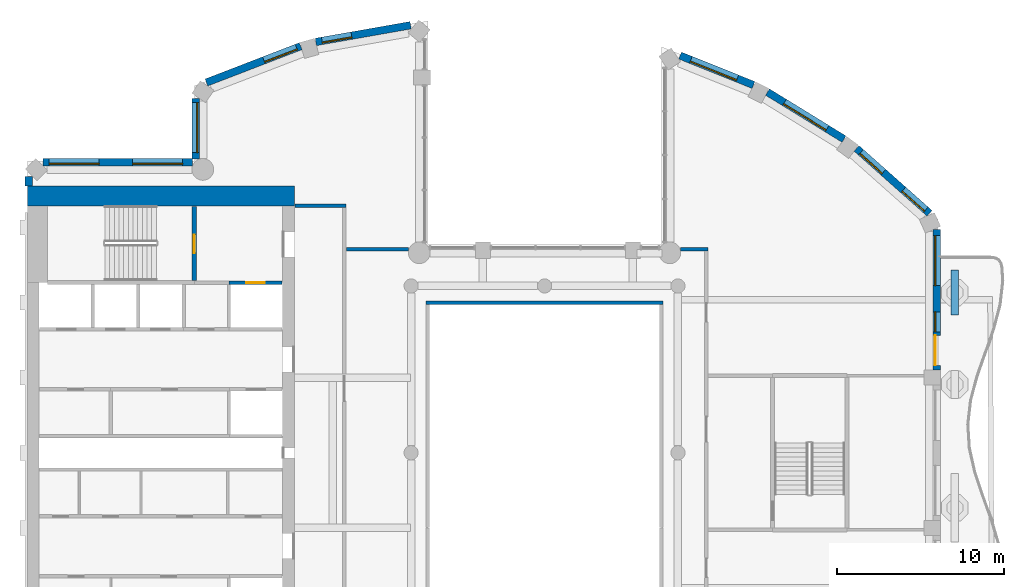
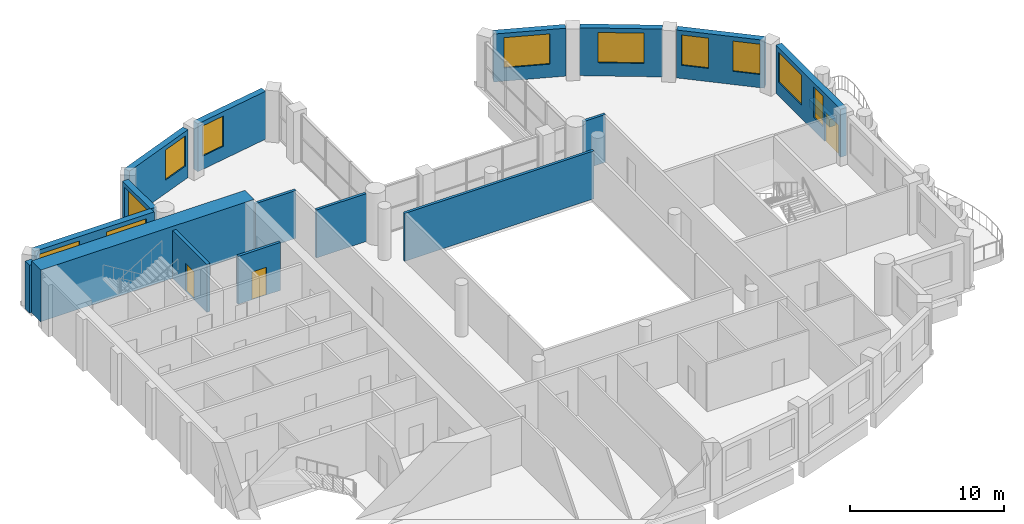
# One storey, part 7 of 14: 17 walls, 11 windows, 3 doors, 14 openings.
"""IFC4 building model written with IfcOpenShell, lengths in metres."""

from ifc_helpers import new_model, si_unit, direction, frame, frame_2d, origin, place, context, subcontext, project, spatial, rectangle, extrude, material, layer, layer_set, type_object, element, fill, save


model = new_model("IFC4")

# Units and contexts
model_context = context("Model", 3, precision=1e-05, world=origin(), true_north=direction((0.0, 1.0)))
body_context = subcontext(model_context, "Body", "Model", "MODEL_VIEW")
ifc_project = project(units=[si_unit("LENGTHUNIT", "METRE"), si_unit("AREAUNIT", "SQUARE_METRE"), si_unit("VOLUMEUNIT", "CUBIC_METRE"), si_unit("PLANEANGLEUNIT", "RADIAN"), si_unit("MASSUNIT", "GRAM", prefix="KILO")], contexts=[model_context])

# Site, building, storey
site_placement = place(None, origin())
site = spatial("IfcSite", under=ifc_project, at=site_placement, CompositionType="ELEMENT")
building_placement = place(site_placement, origin())
building = spatial("IfcBuilding", under=site, at=building_placement, Name="Cypress Arch Tower", CompositionType="ELEMENT")
storey_placement = place(building_placement, frame((0.0, 0.0, 268.0)))
storey = spatial("IfcBuildingStorey", under=building, at=storey_placement, Name="L60", CompositionType="ELEMENT", Elevation=268.0)

# Wall
ifc_material_1 = material(Name="Concrete C40/50, waterproofed", Category="concrete")
ifc_layer_1 = layer(ifc_material_1, 0.449951171875)
ifc_layer_set_1 = layer_set([ifc_layer_1], Name="Balcony planter wall PW450")
wall_type_1 = type_object("IfcWallType", Name="Balcony planter wall PW450", PredefinedType="SOLIDWALL", material=ifc_layer_set_1)
wall_1_placement = place(storey_placement, frame((25.60009765625, 8.25, 0.0), z_axis=(0.0, 0.0, 1.0), x_axis=(0.0, 1.0, 0.0)))
element("IfcWall", 1, at=wall_1_placement, inside=storey, type_object=wall_type_1, Name="Balcony planter wall L60-C17.4", PredefinedType="SOLIDWALL", context=body_context, shape_type="SweptSolid", body=[
    extrude(rectangle(XDim=2.699951171875, YDim=0.449951171875, at=frame_2d((1.35009765625, 0.0))), origin(), (0.0, 0.0, 1.0), 0.60009765625),
])

# Wall, opening, window
ifc_material_2 = material(Name="Brick (red buff blend)", Category="masonry")
ifc_layer_2 = layer(ifc_material_2, 0.449951171875)
ifc_layer_set_2 = layer_set([ifc_layer_2], Name="Brick pier and spandrel wall BW450")
wall_type_2 = type_object("IfcWallType", Name="Brick pier and spandrel wall BW450", PredefinedType="SOLIDWALL", material=ifc_layer_set_2)
wall_2_placement = place(storey_placement, frame((-7.028564453125, 25.63232421875, 0.0), z_axis=(0.0, 0.0, 1.0), x_axis=(-0.984797606634, -0.173705710808, 0.0)))
wall_2 = element("IfcWall", 2, at=wall_2_placement, inside=storey, type_object=wall_type_2, Name="Brick wall L60 C03.0", PredefinedType="SOLIDWALL", context=body_context, shape_type="SweptSolid", body=[
    extrude(rectangle(XDim=5.772216796875, YDim=0.449951171875, at=frame_2d((2.88623046875, 0.0))), origin(), (0.0, 0.0, 1.0), 3.800048828125),
])
opening_1_placement = place(wall_2_placement, frame((3.59326171875, 0.0, 1.050048828125)))
opening_1 = element("IfcOpeningElement", 3, at=opening_1_placement, cuts=wall_2, Name="Opening W180O", PredefinedType="OPENING", context=body_context, shape_type="SweptSolid", body=[
    extrude(rectangle(XDim=1.800048828125, YDim=2.39990234375, at=frame_2d((0.89990234375, 1.199951171875))), frame((0.0, 0.23486328125, 0.0), z_axis=(0.0, -1.0, 0.0), x_axis=(1.0, 0.0, 0.0)), (0.0, 0.0, 1.0), 0.469970703125),
])
ifc_material_3 = material(Name="Anodised aluminium, bronze finish, clear low-emissivity double glazing", Category="aluminium")
window_type_1 = type_object("IfcWindowType", Name="Window Office 1800x2400", PartitioningType="SINGLE_PANEL", PredefinedType="WINDOW", material=ifc_material_3)
window_1_placement = place(opening_1_placement, origin())
window_1 = element("IfcWindow", 4, at=window_1_placement, inside=storey, type_object=window_type_1, Name="Window L60 C03.0.2", OverallHeight=2.39990234375, OverallWidth=1.800048828125, PartitioningType="SINGLE_PANEL", PredefinedType="WINDOW", context=body_context, shape_type="SweptSolid", body=[
    extrude(rectangle(XDim=1.800048828125, YDim=2.39990234375, at=frame_2d((0.89990234375, 1.199951171875))), frame((0.0, 0.135009765625, 0.0), z_axis=(0.0, -1.0, 0.0), x_axis=(1.0, 0.0, 0.0)), (0.0, 0.0, 1.0), 0.06005859375),
])
fill(opening_1, window_1)

wall_3_placement = place(storey_placement, frame((-13.6220703125, 24.376953125, 0.0), z_axis=(0.0, 0.0, 1.0), x_axis=(-0.933129259679, -0.359541075164, 0.0)))
wall_3 = element("IfcWall", 5, at=wall_3_placement, inside=storey, type_object=wall_type_2, Name="Brick wall L60 C04.0", PredefinedType="SOLIDWALL", context=body_context, shape_type="SweptSolid", body=[
    extrude(rectangle(XDim=6.05419921875, YDim=0.449951171875, at=frame_2d((3.027099609375, 0.0))), origin(), (0.0, 0.0, 1.0), 3.800048828125),
])
opening_2_placement = place(wall_3_placement, frame((0.260986328125, 0.0, 1.050048828125)))
opening_2 = element("IfcOpeningElement", 6, at=opening_2_placement, cuts=wall_3, Name="Opening W210O", PredefinedType="OPENING", context=body_context, shape_type="SweptSolid", body=[
    extrude(rectangle(XDim=2.10009765625, YDim=2.39990234375, at=frame_2d((1.050048828125, 1.199951171875))), frame((0.0, 0.23486328125, 0.0), z_axis=(0.0, -1.0, 0.0), x_axis=(1.0, 0.0, 0.0)), (0.0, 0.0, 1.0), 0.469970703125),
])
ifc_material_4 = material(Name="Anodised aluminium, bronze finish, clear low-emissivity double glazing", Category="aluminium")
window_type_2 = type_object("IfcWindowType", Name="Window Office 2100x2400", PartitioningType="SINGLE_PANEL", PredefinedType="WINDOW", material=ifc_material_4)
window_2_placement = place(opening_2_placement, origin())
window_2 = element("IfcWindow", 7, at=window_2_placement, inside=storey, type_object=window_type_2, Name="Window L60 C04.0.1", OverallHeight=2.39990234375, OverallWidth=2.10009765625, PartitioningType="SINGLE_PANEL", PredefinedType="WINDOW", context=body_context, shape_type="SweptSolid", body=[
    extrude(rectangle(XDim=2.10009765625, YDim=2.39990234375, at=frame_2d((1.050048828125, 1.199951171875))), frame((0.0, 0.135009765625, 0.0), z_axis=(0.0, -1.0, 0.0), x_axis=(1.0, 0.0, 0.0)), (0.0, 0.0, 1.0), 0.06005859375),
])
fill(opening_2, window_2)

wall_4_placement = place(storey_placement, frame((-19.925048828125, 21.248291015625, 0.0), z_axis=(0.0, 0.0, 1.0), x_axis=(0.0, -1.0, 0.0)))
wall_4 = element("IfcWall", 8, at=wall_4_placement, inside=storey, type_object=wall_type_2, Name="Brick wall L60 C05.0", PredefinedType="SOLIDWALL", context=body_context, shape_type="SweptSolid", body=[
    extrude(rectangle(XDim=3.646728515625, YDim=0.449951171875, at=frame_2d((1.8232421875, 0.0))), origin(), (0.0, 0.0, 1.0), 3.800048828125),
])
opening_3_placement = place(wall_4_placement, frame((0.251220703125, 0.0, 1.050048828125)))
opening_3 = element("IfcOpeningElement", 9, at=opening_3_placement, cuts=wall_4, Name="Opening W300O", PredefinedType="OPENING", context=body_context, shape_type="SweptSolid", body=[
    extrude(rectangle(XDim=3.0, YDim=2.39990234375, at=frame_2d((1.5, 1.199951171875))), frame((0.0, 0.23486328125, 0.0), z_axis=(0.0, -1.0, 0.0), x_axis=(1.0, 0.0, 0.0)), (0.0, 0.0, 1.0), 0.469970703125),
])
ifc_material_5 = material(Name="Anodised aluminium, bronze finish, clear low-emissivity double glazing", Category="aluminium")
window_type_3 = type_object("IfcWindowType", Name="Window Office 3000x2400", PartitioningType="SINGLE_PANEL", PredefinedType="WINDOW", material=ifc_material_5)
window_3_placement = place(opening_3_placement, origin())
window_3 = element("IfcWindow", 10, at=window_3_placement, inside=storey, type_object=window_type_3, Name="Window L60 C05.0.1", OverallHeight=2.39990234375, OverallWidth=3.0, PartitioningType="SINGLE_PANEL", PredefinedType="WINDOW", context=body_context, shape_type="SweptSolid", body=[
    extrude(rectangle(XDim=3.0, YDim=2.39990234375, at=frame_2d((1.5, 1.199951171875))), frame((0.0, 0.135009765625, 0.0), z_axis=(0.0, -1.0, 0.0), x_axis=(1.0, 0.0, 0.0)), (0.0, 0.0, 1.0), 0.06005859375),
])
fill(opening_3, window_3)

# Wall, openings, windows
wall_5_placement = place(storey_placement, frame((-20.1015625, 17.425048828125, 0.0), z_axis=(0.0, 0.0, 1.0), x_axis=(-1.0, 0.0, 0.0)))
wall_5 = element("IfcWall", 11, at=wall_5_placement, inside=storey, type_object=wall_type_2, Name="Brick wall L60 C06.0", PredefinedType="SOLIDWALL", context=body_context, shape_type="SweptSolid", body=[
    extrude(rectangle(XDim=8.962158203125, YDim=0.449951171875, at=frame_2d((4.48095703125, 0.0))), origin(), (0.0, 0.0, 1.0), 3.800048828125),
])
opening_4_placement = place(wall_5_placement, frame((0.598388671875, 0.0, 1.050048828125)))
opening_4 = element("IfcOpeningElement", 12, at=opening_4_placement, cuts=wall_5, Name="Opening W300O", PredefinedType="OPENING", context=body_context, shape_type="SweptSolid", body=[
    extrude(rectangle(XDim=3.0, YDim=2.39990234375, at=frame_2d((1.5, 1.199951171875))), frame((0.0, 0.23486328125, 0.0), z_axis=(0.0, -1.0, 0.0), x_axis=(1.0, 0.0, 0.0)), (0.0, 0.0, 1.0), 0.469970703125),
])
opening_5_placement = place(wall_5_placement, frame((5.598388671875, 0.0, 1.050048828125)))
opening_5 = element("IfcOpeningElement", 13, at=opening_5_placement, cuts=wall_5, Name="Opening W300O", PredefinedType="OPENING", context=body_context, shape_type="SweptSolid", body=[
    extrude(rectangle(XDim=3.0, YDim=2.39990234375, at=frame_2d((1.5, 1.199951171875))), frame((0.0, 0.23486328125, 0.0), z_axis=(0.0, -1.0, 0.0), x_axis=(1.0, 0.0, 0.0)), (0.0, 0.0, 1.0), 0.469970703125),
])
window_4_placement = place(opening_4_placement, origin())
window_4 = element("IfcWindow", 14, at=window_4_placement, inside=storey, type_object=window_type_3, Name="Window L60 C06.0.1", OverallHeight=2.39990234375, OverallWidth=3.0, PartitioningType="SINGLE_PANEL", PredefinedType="WINDOW", context=body_context, shape_type="SweptSolid", body=[
    extrude(rectangle(XDim=3.0, YDim=2.39990234375, at=frame_2d((1.5, 1.199951171875))), frame((0.0, 0.135009765625, 0.0), z_axis=(0.0, -1.0, 0.0), x_axis=(1.0, 0.0, 0.0)), (0.0, 0.0, 1.0), 0.06005859375),
])
fill(opening_4, window_4)
window_5_placement = place(opening_5_placement, origin())
window_5 = element("IfcWindow", 15, at=window_5_placement, inside=storey, type_object=window_type_3, Name="Window L60 C06.0.2", OverallHeight=2.39990234375, OverallWidth=3.0, PartitioningType="SINGLE_PANEL", PredefinedType="WINDOW", context=body_context, shape_type="SweptSolid", body=[
    extrude(rectangle(XDim=3.0, YDim=2.39990234375, at=frame_2d((1.5, 1.199951171875))), frame((0.0, 0.135009765625, 0.0), z_axis=(0.0, -1.0, 0.0), x_axis=(1.0, 0.0, 0.0)), (0.0, 0.0, 1.0), 0.06005859375),
])
fill(opening_5, window_5)

# Wall
wall_6_placement = place(storey_placement, frame((-29.925048828125, 16.563720703125, 0.0), z_axis=(0.0, 0.0, 1.0), x_axis=(0.0, -1.0, 0.0)))
element("IfcWall", 16, at=wall_6_placement, inside=storey, type_object=wall_type_2, Name="Brick wall L60 C07.0", PredefinedType="SOLIDWALL", context=body_context, shape_type="SweptSolid", body=[
    extrude(rectangle(XDim=0.563720703125, YDim=0.449951171875, at=frame_2d((0.28173828125, 0.0))), origin(), (0.0, 0.0, 1.0), 3.800048828125),
])

# Wall, openings, door, windows
wall_7_placement = place(storey_placement, frame((24.52490234375, 4.949951171875, 0.0), z_axis=(0.0, 0.0, 1.0), x_axis=(0.0, 1.0, 0.0)))
wall_7 = element("IfcWall", 17, at=wall_7_placement, inside=storey, type_object=wall_type_2, Name="Brick wall L60 C17.2", PredefinedType="SOLIDWALL", context=body_context, shape_type="SweptSolid", body=[
    extrude(rectangle(XDim=8.421875, YDim=0.449951171875, at=frame_2d((4.2109375, 0.0))), origin(), (0.0, 0.0, 1.0), 3.800048828125),
])
opening_6_placement = place(wall_7_placement, frame((0.291259765625, 0.0, 0.0)))
opening_6 = element("IfcOpeningElement", 18, at=opening_6_placement, cuts=wall_7, Name="Opening D-L60-C17.2.1", PredefinedType="OPENING", context=body_context, shape_type="SweptSolid", body=[
    extrude(rectangle(XDim=1.800048828125, YDim=2.39990234375, at=frame_2d((0.89990234375, 1.199951171875))), frame((0.0, 0.23486328125, 0.0), z_axis=(0.0, -1.0, 0.0), x_axis=(1.0, 0.0, 0.0)), (0.0, 0.0, 1.0), 0.469970703125),
])
opening_7_placement = place(wall_7_placement, frame((2.291259765625, 0.0, 1.050048828125)))
opening_7 = element("IfcOpeningElement", 19, at=opening_7_placement, cuts=wall_7, Name="Opening W120OD", PredefinedType="OPENING", context=body_context, shape_type="SweptSolid", body=[
    extrude(rectangle(XDim=1.199951171875, YDim=2.39990234375, at=frame_2d((0.60009765625, 1.199951171875))), frame((0.0, 0.23486328125, 0.0), z_axis=(0.0, -1.0, 0.0), x_axis=(1.0, 0.0, 0.0)), (0.0, 0.0, 1.0), 0.469970703125),
])
opening_8_placement = place(wall_7_placement, frame((5.073974609375, 0.0, 1.050048828125)))
opening_8 = element("IfcOpeningElement", 20, at=opening_8_placement, cuts=wall_7, Name="Opening W300OD", PredefinedType="OPENING", context=body_context, shape_type="SweptSolid", body=[
    extrude(rectangle(XDim=3.0, YDim=2.39990234375, at=frame_2d((1.5, 1.199951171875))), frame((0.0, 0.23486328125, 0.0), z_axis=(0.0, -1.0, 0.0), x_axis=(1.0, 0.0, 0.0)), (0.0, 0.0, 1.0), 0.469970703125),
])
ifc_material_6 = material(Name="Anodised aluminium, bronze finish, laminated low-emissivity double glazing, large-missile impact rated", Category="aluminium")
door_type_1 = type_object("IfcDoorType", Name="Balcony sliding door 1800x2400", OperationType="SLIDING_TO_LEFT", PredefinedType="DOOR", material=ifc_material_6)
door_1_placement = place(opening_6_placement, origin())
door_1 = element("IfcDoor", 21, at=door_1_placement, inside=storey, type_object=door_type_1, Name="Balcony door L60 C17.2.1", OperationType="SLIDING_TO_LEFT", OverallHeight=2.39990234375, OverallWidth=1.800048828125, PredefinedType="DOOR", context=body_context, shape_type="SweptSolid", body=[
    extrude(rectangle(XDim=1.800048828125, YDim=2.39990234375, at=frame_2d((0.89990234375, 1.199951171875))), frame((0.0, 0.1298828125, 0.0), z_axis=(0.0, -1.0, 0.0), x_axis=(1.0, 0.0, 0.0)), (0.0, 0.0, 1.0), 0.050048828125),
])
fill(opening_6, door_1)
ifc_material_7 = material(Name="Anodised aluminium, bronze finish, laminated low-emissivity double glazing, large-missile impact rated", Category="aluminium")
window_type_4 = type_object("IfcWindowType", Name="Window Office 1200x2400 debris-rated", PartitioningType="SINGLE_PANEL", PredefinedType="WINDOW", material=ifc_material_7)
window_6_placement = place(opening_7_placement, origin())
window_6 = element("IfcWindow", 22, at=window_6_placement, inside=storey, type_object=window_type_4, Name="Window L60 C17.2.1", OverallHeight=2.39990234375, OverallWidth=1.199951171875, PartitioningType="SINGLE_PANEL", PredefinedType="WINDOW", context=body_context, shape_type="SweptSolid", body=[
    extrude(rectangle(XDim=1.199951171875, YDim=2.39990234375, at=frame_2d((0.60009765625, 1.199951171875))), frame((0.0, 0.135009765625, 0.0), z_axis=(0.0, -1.0, 0.0), x_axis=(1.0, 0.0, 0.0)), (0.0, 0.0, 1.0), 0.06005859375),
])
fill(opening_7, window_6)
ifc_material_8 = material(Name="Anodised aluminium, bronze finish, laminated low-emissivity double glazing, large-missile impact rated", Category="aluminium")
window_type_5 = type_object("IfcWindowType", Name="Window Office 3000x2400 debris-rated", PartitioningType="SINGLE_PANEL", PredefinedType="WINDOW", material=ifc_material_8)
window_7_placement = place(opening_8_placement, origin())
window_7 = element("IfcWindow", 23, at=window_7_placement, inside=storey, type_object=window_type_5, Name="Window L60 C17.2.2", OverallHeight=2.39990234375, OverallWidth=3.0, PartitioningType="SINGLE_PANEL", PredefinedType="WINDOW", context=body_context, shape_type="SweptSolid", body=[
    extrude(rectangle(XDim=3.0, YDim=2.39990234375, at=frame_2d((1.5, 1.199951171875))), frame((0.0, 0.135009765625, 0.0), z_axis=(0.0, -1.0, 0.0), x_axis=(1.0, 0.0, 0.0)), (0.0, 0.0, 1.0), 0.06005859375),
])
fill(opening_8, window_7)

# Wall, openings, windows
wall_8_placement = place(storey_placement, frame((24.08056640625, 14.361083984375, 0.0), z_axis=(0.0, 0.0, 1.0), x_axis=(-0.747570482973, 0.664182484704, 0.0)))
wall_8 = element("IfcWall", 24, at=wall_8_placement, inside=storey, type_object=wall_type_2, Name="Brick wall L60 C18.0", PredefinedType="SOLIDWALL", context=body_context, shape_type="SweptSolid", body=[
    extrude(rectangle(XDim=5.849609375, YDim=0.449951171875, at=frame_2d((2.9248046875, 0.0))), origin(), (0.0, 0.0, 1.0), 3.800048828125),
])
opening_9_placement = place(wall_8_placement, frame((0.305419921875, 0.0, 1.050048828125)))
opening_9 = element("IfcOpeningElement", 25, at=opening_9_placement, cuts=wall_8, Name="Opening W180O", PredefinedType="OPENING", context=body_context, shape_type="SweptSolid", body=[
    extrude(rectangle(XDim=1.800048828125, YDim=2.39990234375, at=frame_2d((0.89990234375, 1.199951171875))), frame((0.0, 0.23486328125, 0.0), z_axis=(0.0, -1.0, 0.0), x_axis=(1.0, 0.0, 0.0)), (0.0, 0.0, 1.0), 0.469970703125),
])
opening_10_placement = place(wall_8_placement, frame((3.702880859375, 0.0, 1.050048828125)))
opening_10 = element("IfcOpeningElement", 26, at=opening_10_placement, cuts=wall_8, Name="Opening W180O", PredefinedType="OPENING", context=body_context, shape_type="SweptSolid", body=[
    extrude(rectangle(XDim=1.800048828125, YDim=2.39990234375, at=frame_2d((0.89990234375, 1.199951171875))), frame((0.0, 0.23486328125, 0.0), z_axis=(0.0, -1.0, 0.0), x_axis=(1.0, 0.0, 0.0)), (0.0, 0.0, 1.0), 0.469970703125),
])
window_8_placement = place(opening_9_placement, origin())
window_8 = element("IfcWindow", 27, at=window_8_placement, inside=storey, type_object=window_type_1, Name="Window L60 C18.0.1", OverallHeight=2.39990234375, OverallWidth=1.800048828125, PartitioningType="SINGLE_PANEL", PredefinedType="WINDOW", context=body_context, shape_type="SweptSolid", body=[
    extrude(rectangle(XDim=1.800048828125, YDim=2.39990234375, at=frame_2d((0.89990234375, 1.199951171875))), frame((0.0, 0.135009765625, 0.0), z_axis=(0.0, -1.0, 0.0), x_axis=(1.0, 0.0, 0.0)), (0.0, 0.0, 1.0), 0.06005859375),
])
fill(opening_9, window_8)
window_9_placement = place(opening_10_placement, origin())
window_9 = element("IfcWindow", 28, at=window_9_placement, inside=storey, type_object=window_type_1, Name="Window L60 C18.0.2", OverallHeight=2.39990234375, OverallWidth=1.800048828125, PartitioningType="SINGLE_PANEL", PredefinedType="WINDOW", context=body_context, shape_type="SweptSolid", body=[
    extrude(rectangle(XDim=1.800048828125, YDim=2.39990234375, at=frame_2d((0.89990234375, 1.199951171875))), frame((0.0, 0.135009765625, 0.0), z_axis=(0.0, -1.0, 0.0), x_axis=(1.0, 0.0, 0.0)), (0.0, 0.0, 1.0), 0.06005859375),
])
fill(opening_10, window_9)

# Wall, opening, window
wall_9_placement = place(storey_placement, frame((18.953369140625, 18.806396484375, 0.0), z_axis=(0.0, 0.0, 1.0), x_axis=(-0.851860664503, 0.523768468193, 0.0)))
wall_9 = element("IfcWall", 29, at=wall_9_placement, inside=storey, type_object=wall_type_2, Name="Brick wall L60 C19.0", PredefinedType="SOLIDWALL", context=body_context, shape_type="SweptSolid", body=[
    extrude(rectangle(XDim=5.3837890625, YDim=0.449951171875, at=frame_2d((2.69189453125, 0.0))), origin(), (0.0, 0.0, 1.0), 3.800048828125),
])
opening_11_placement = place(wall_9_placement, frame((1.19189453125, 0.0, 1.050048828125)))
opening_11 = element("IfcOpeningElement", 30, at=opening_11_placement, cuts=wall_9, Name="Opening W300O", PredefinedType="OPENING", context=body_context, shape_type="SweptSolid", body=[
    extrude(rectangle(XDim=3.0, YDim=2.39990234375, at=frame_2d((1.5, 1.199951171875))), frame((0.0, 0.23486328125, 0.0), z_axis=(0.0, -1.0, 0.0), x_axis=(1.0, 0.0, 0.0)), (0.0, 0.0, 1.0), 0.469970703125),
])
window_10_placement = place(opening_11_placement, origin())
window_10 = element("IfcWindow", 31, at=window_10_placement, inside=storey, type_object=window_type_3, Name="Window L60 C19.0.1", OverallHeight=2.39990234375, OverallWidth=3.0, PartitioningType="SINGLE_PANEL", PredefinedType="WINDOW", context=body_context, shape_type="SweptSolid", body=[
    extrude(rectangle(XDim=3.0, YDim=2.39990234375, at=frame_2d((1.5, 1.199951171875))), frame((0.0, 0.135009765625, 0.0), z_axis=(0.0, -1.0, 0.0), x_axis=(1.0, 0.0, 0.0)), (0.0, 0.0, 1.0), 0.06005859375),
])
fill(opening_11, window_10)

wall_10_placement = place(storey_placement, frame((13.529296875, 22.04833984375, 0.0), z_axis=(0.0, 0.0, 1.0), x_axis=(-0.927957332619, 0.372686448424, 0.0)))
wall_10 = element("IfcWall", 32, at=wall_10_placement, inside=storey, type_object=wall_type_2, Name="Brick wall L60 C20.0", PredefinedType="SOLIDWALL", context=body_context, shape_type="SweptSolid", body=[
    extrude(rectangle(XDim=4.741455078125, YDim=0.449951171875, at=frame_2d((2.37060546875, 0.0))), origin(), (0.0, 0.0, 1.0), 3.800048828125),
])
opening_12_placement = place(wall_10_placement, frame((1.046630859375, 0.0, 1.050048828125)))
opening_12 = element("IfcOpeningElement", 33, at=opening_12_placement, cuts=wall_10, Name="Opening W300O", PredefinedType="OPENING", context=body_context, shape_type="SweptSolid", body=[
    extrude(rectangle(XDim=3.0, YDim=2.39990234375, at=frame_2d((1.5, 1.199951171875))), frame((0.0, 0.23486328125, 0.0), z_axis=(0.0, -1.0, 0.0), x_axis=(1.0, 0.0, 0.0)), (0.0, 0.0, 1.0), 0.469970703125),
])
window_11_placement = place(opening_12_placement, origin())
window_11 = element("IfcWindow", 34, at=window_11_placement, inside=storey, type_object=window_type_3, Name="Window L60 C20.0.1", OverallHeight=2.39990234375, OverallWidth=3.0, PartitioningType="SINGLE_PANEL", PredefinedType="WINDOW", context=body_context, shape_type="SweptSolid", body=[
    extrude(rectangle(XDim=3.0, YDim=2.39990234375, at=frame_2d((1.5, 1.199951171875))), frame((0.0, 0.135009765625, 0.0), z_axis=(0.0, -1.0, 0.0), x_axis=(1.0, 0.0, 0.0)), (0.0, 0.0, 1.0), 0.06005859375),
])
fill(opening_12, window_11)

# Walls
ifc_material_9 = material(Name="Concrete C60/75", Category="concrete")
ifc_layer_3 = layer(ifc_material_9, 1.199951171875)
ifc_layer_set_3 = layer_set([ifc_layer_3], Name="Core wall CW1200 C60/75")
wall_type_3 = type_object("IfcWallType", Name="Core wall CW1200 C60/75", PredefinedType="SHEAR", material=ifc_layer_set_3)
wall_11_placement = place(storey_placement, frame((-30.0, 15.39990234375, 0.0), z_axis=(0.0, 0.0, 1.0), x_axis=(1.0, 0.0, 0.0)))
element("IfcWall", 35, at=wall_11_placement, inside=storey, type_object=wall_type_3, Name="Core wall", PredefinedType="SHEAR", context=body_context, shape_type="SweptSolid", body=[
    extrude(rectangle(XDim=16.0, YDim=1.199951171875, at=frame_2d((8.0, 0.0))), origin(), (0.0, 0.0, 1.0), 4.10009765625),
])
ifc_material_10 = material(Name="Concrete blockwork, plastered, rated", Category="masonry")
ifc_layer_4 = layer(ifc_material_10, 0.199951171875)
ifc_layer_set_4 = layer_set([ifc_layer_4], Name="Corridor wall FW200")
wall_type_4 = type_object("IfcWallType", Name="Corridor wall FW200", PredefinedType="PARTITIONING", material=ifc_layer_set_4)
wall_12_placement = place(storey_placement, frame((-13.969970703125, 14.800048828125, 0.0), z_axis=(0.0, 0.0, 1.0), x_axis=(1.0, 0.0, 0.0)))
element("IfcWall", 36, at=wall_12_placement, inside=storey, type_object=wall_type_4, Name="Corridor wall", PredefinedType="PARTITIONING", context=body_context, shape_type="SweptSolid", body=[
    extrude(rectangle(XDim=3.070068359375, YDim=0.199951171875, at=frame_2d((1.53515625, 0.0))), origin(), (0.0, 0.0, 1.0), 3.800048828125),
])
wall_13_placement = place(storey_placement, frame((-10.8798828125, 12.199951171875, 0.0), z_axis=(0.0, 0.0, 1.0), x_axis=(1.0, 0.0, 0.0)))
element("IfcWall", 37, at=wall_13_placement, inside=storey, type_object=wall_type_4, Name="Corridor wall", PredefinedType="PARTITIONING", context=body_context, shape_type="SweptSolid", body=[
    extrude(rectangle(XDim=3.736083984375, YDim=0.199951171875, at=frame_2d((1.8681640625, 0.0))), origin(), (0.0, 0.0, 1.0), 3.800048828125),
])
wall_14_placement = place(storey_placement, frame((-6.10009765625, 9.0, 0.0), z_axis=(0.0, 0.0, 1.0), x_axis=(1.0, 0.0, 0.0)))
element("IfcWall", 38, at=wall_14_placement, inside=storey, type_object=wall_type_4, Name="Corridor wall", PredefinedType="PARTITIONING", context=body_context, shape_type="SweptSolid", body=[
    extrude(rectangle(XDim=14.2001953125, YDim=0.199951171875, at=frame_2d((7.10009765625, 0.0))), origin(), (0.0, 0.0, 1.0), 3.800048828125),
])
wall_15_placement = place(storey_placement, frame((9.143798828125, 12.199951171875, 0.0), z_axis=(0.0, 0.0, 1.0), x_axis=(1.0, 0.0, 0.0)))
element("IfcWall", 39, at=wall_15_placement, inside=storey, type_object=wall_type_4, Name="Corridor wall", PredefinedType="PARTITIONING", context=body_context, shape_type="SweptSolid", body=[
    extrude(rectangle(XDim=1.65625, YDim=0.199951171875, at=frame_2d((0.828125, 0.0))), origin(), (0.0, 0.0, 1.0), 3.800048828125),
])

# Wall, opening, door
ifc_material_11 = material(Name="Concrete C50/60", Category="concrete")
ifc_layer_5 = layer(ifc_material_11, 0.199951171875)
ifc_layer_set_5 = layer_set([ifc_layer_5], Name="Shaft wall SH200")
wall_type_5 = type_object("IfcWallType", Name="Shaft wall SH200", PredefinedType="SHEAR", material=ifc_layer_set_5)
wall_16_placement = place(storey_placement, frame((-17.919921875, 10.199951171875, 0.0), z_axis=(0.0, 0.0, 1.0), x_axis=(1.0, 0.0, 0.0)))
wall_16 = element("IfcWall", 40, at=wall_16_placement, inside=storey, type_object=wall_type_5, Name="Shaft wall", PredefinedType="SHEAR", context=body_context, shape_type="SweptSolid", body=[
    extrude(rectangle(XDim=3.18994140625, YDim=0.199951171875, at=frame_2d((1.594970703125, 0.0))), origin(), (0.0, 0.0, 1.0), 3.800048828125),
])
opening_13_placement = place(wall_16_placement, frame((1.050048828125, 0.0, 0.0)))
opening_13 = element("IfcOpeningElement", 41, at=opening_13_placement, cuts=wall_16, Name="Opening LD-FL2", PredefinedType="OPENING", context=body_context, shape_type="SweptSolid", body=[
    extrude(rectangle(XDim=1.10009765625, YDim=2.199951171875, at=frame_2d((0.550048828125, 1.10009765625))), frame((0.0, 0.10986328125, 0.0), z_axis=(0.0, -1.0, 0.0), x_axis=(1.0, 0.0, 0.0)), (0.0, 0.0, 1.0), 0.219970703125),
])
ifc_material_12 = material(Name="Stainless steel centre-opening landing door, rated", Category="steel")
door_type_2 = type_object("IfcDoorType", Name="Lift landing door LD 1100x2200", OperationType="DOUBLE_DOOR_SLIDING", PredefinedType="DOOR", material=ifc_material_12)
door_2_placement = place(opening_13_placement, origin())
door_2 = element("IfcDoor", 42, at=door_2_placement, inside=storey, type_object=door_type_2, Name="Lift landing doors FL2", OperationType="DOUBLE_DOOR_SLIDING", OverallHeight=2.199951171875, OverallWidth=1.10009765625, PredefinedType="DOOR", context=body_context, shape_type="SweptSolid", body=[
    extrude(rectangle(XDim=1.10009765625, YDim=2.199951171875, at=frame_2d((0.550048828125, 1.10009765625))), frame((0.0, 0.02490234375, 0.0), z_axis=(0.0, -1.0, 0.0), x_axis=(1.0, 0.0, 0.0)), (0.0, 0.0, 1.0), 0.050048828125),
])
fill(opening_13, door_2)

ifc_material_13 = material(Name="Concrete C50/60", Category="concrete")
ifc_layer_6 = layer(ifc_material_13, 0.25)
ifc_layer_set_6 = layer_set([ifc_layer_6], Name="Stair enclosure wall SW250")
wall_type_6 = type_object("IfcWallType", Name="Stair enclosure wall SW250", PredefinedType="SHEAR", material=ifc_layer_set_6)
wall_17_placement = place(storey_placement, frame((-20.0, 10.324951171875, 0.0), z_axis=(0.0, 0.0, 1.0), x_axis=(0.0, 1.0, 0.0)))
wall_17 = element("IfcWall", 43, at=wall_17_placement, inside=storey, type_object=wall_type_6, Name="Stair enclosure wall", PredefinedType="SHEAR", context=body_context, shape_type="SweptSolid", body=[
    extrude(rectangle(XDim=4.445068359375, YDim=0.25, at=frame_2d((2.22265625, 0.0))), origin(), (0.0, 0.0, 1.0), 3.800048828125),
])
opening_14_placement = place(wall_17_placement, frame((1.64990234375, 0.0, 0.0)))
opening_14 = element("IfcOpeningElement", 44, at=opening_14_placement, cuts=wall_17, Name="Opening D06", PredefinedType="OPENING", context=body_context, shape_type="SweptSolid", body=[
    extrude(rectangle(XDim=1.10009765625, YDim=2.199951171875, at=frame_2d((0.550048828125, 1.10009765625))), frame((0.0, 0.135009765625, 0.0), z_axis=(0.0, -1.0, 0.0), x_axis=(1.0, 0.0, 0.0)), (0.0, 0.0, 1.0), 0.27001953125),
])
ifc_material_14 = material(Name="Steel door, fire resisting, panic bar", Category="steel")
door_type_3 = type_object("IfcDoorType", Name="Stair door D06 1100x2200", OperationType="SINGLE_SWING_LEFT", PredefinedType="DOOR", material=ifc_material_14)
door_3_placement = place(opening_14_placement, origin())
door_3 = element("IfcDoor", 45, at=door_3_placement, inside=storey, type_object=door_type_3, Name="Stair door", OperationType="SINGLE_SWING_LEFT", OverallHeight=2.199951171875, OverallWidth=1.10009765625, PredefinedType="DOOR", context=body_context, shape_type="SweptSolid", body=[
    extrude(rectangle(XDim=1.10009765625, YDim=2.199951171875, at=frame_2d((0.550048828125, 1.10009765625))), frame((0.0, 0.02490234375, 0.0), z_axis=(0.0, -1.0, 0.0), x_axis=(1.0, 0.0, 0.0)), (0.0, 0.0, 1.0), 0.050048828125),
])
fill(opening_14, door_3)

save(model, "model.ifc")
